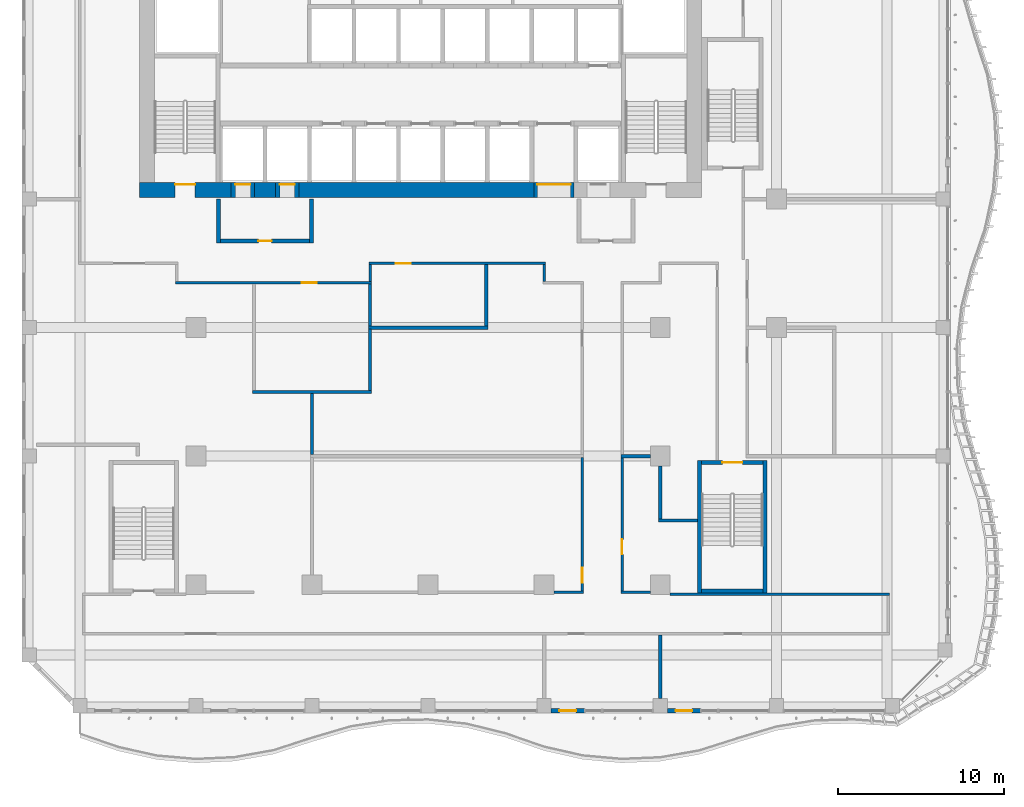
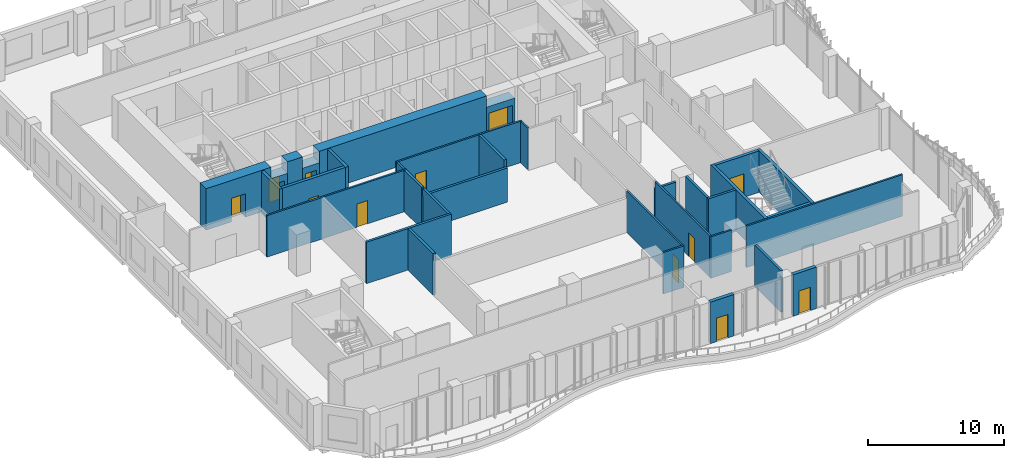
# One storey, part 13 of 26: 34 walls, 12 doors, 12 openings.
"""IFC4 building model written with IfcOpenShell, lengths in metres."""

from ifc_helpers import new_model, si_unit, direction, frame, frame_2d, origin, place, context, subcontext, project, spatial, rectangle, extrude, source, transform, mapped, material, layer, layer_set, type_object, element, fill, save


model = new_model("IFC4")

# Units and contexts
model_context = context("Model", 3, precision=1e-05, world=origin(), true_north=direction((0.0, 1.0)))
body_context = subcontext(model_context, "Body", "Model", "MODEL_VIEW")
ifc_project = project(units=[si_unit("LENGTHUNIT", "METRE"), si_unit("AREAUNIT", "SQUARE_METRE"), si_unit("VOLUMEUNIT", "CUBIC_METRE"), si_unit("PLANEANGLEUNIT", "RADIAN"), si_unit("MASSUNIT", "GRAM", prefix="KILO")], contexts=[model_context])

# Site, building, storey
site_placement = place(None, origin())
site = spatial("IfcSite", under=ifc_project, at=site_placement, CompositionType="ELEMENT")
building_placement = place(site_placement, origin())
building = spatial("IfcBuilding", under=site, at=building_placement, Name="Kilnfold Tower and Market Hall", CompositionType="ELEMENT")
storey_placement = place(building_placement, frame((0.0, 0.0, 104.60009765625)))
storey = spatial("IfcBuildingStorey", under=building, at=storey_placement, Name="L24", CompositionType="ELEMENT", Elevation=104.60009765625)

# Wall, opening, door
ifc_material_1 = material(Name="Gypsum board on steel studs", Category="steel")
ifc_layer_1 = layer(ifc_material_1, 0.14990234375)
ifc_layer_set_1 = layer_set([ifc_layer_1], Name="Gypsum board on steel studs")
wall_type_1 = type_object("IfcWallType", Name="WALL CORRIDOR 150", PredefinedType="PARTITIONING", material=ifc_layer_set_1)
wall_1_placement = place(storey_placement, frame((-13.735107421875, 2.949951171875, 0.0), z_axis=(0.0, 0.0, 1.0), x_axis=(1.0, 0.0, 0.0)))
wall_1 = element("IfcWall", 1, at=wall_1_placement, inside=storey, type_object=wall_type_1, Name="Partition LY16.3", PredefinedType="PARTITIONING", context=body_context, shape_type="SweptSolid", body=[
    extrude(rectangle(XDim=11.835205078125, YDim=0.14990234375, at=frame_2d((5.91748046875, 0.0))), origin(), (0.0, 0.0, 1.0), 3.719970703125),
])
opening_1_placement = place(wall_1_placement, frame((7.6298828125, 0.0, 0.0)))
opening_1 = element("IfcOpeningElement", 2, at=opening_1_placement, cuts=wall_1, Name="Opening D2", PredefinedType="OPENING", context=body_context, shape_type="SweptSolid", body=[
    extrude(rectangle(XDim=0.89990234375, YDim=2.10009765625, at=frame_2d((0.449951171875, 1.050048828125))), frame((0.0, 0.0849609375, 0.0), z_axis=(0.0, -1.0, 0.0), x_axis=(1.0, 0.0, 0.0)), (0.0, 0.0, 1.0), 0.169921875),
])
ifc_material_2 = material(Name="Timber veneer door leaf in steel frame", Category="steel")
door_type_1 = type_object("IfcDoorType", Name="DOOR ROOM 900 X2100", OperationType="NOTDEFINED", PredefinedType="DOOR", material=ifc_material_2)
door_1_placement = place(opening_1_placement, origin())
door_1 = element("IfcDoor", 3, at=door_1_placement, inside=storey, type_object=door_type_1, Name="Door D2", OperationType="SINGLE_SWING_RIGHT", OverallHeight=2.10009765625, OverallWidth=0.89990234375, PredefinedType="DOOR", context=body_context, shape_type="SweptSolid", body=[
    extrude(rectangle(XDim=0.89990234375, YDim=2.10009765625, at=frame_2d((0.449951171875, 1.050048828125))), frame((0.0, 0.02490234375, 0.0), z_axis=(0.0, -1.0, 0.0), x_axis=(1.0, 0.0, 0.0)), (0.0, 0.0, 1.0), 0.050048828125),
])
fill(opening_1, door_1)

wall_2_placement = place(storey_placement, frame((-2.074951171875, 4.125, 0.0), z_axis=(0.0, 0.0, 1.0), x_axis=(1.0, 0.0, 0.0)))
wall_2 = element("IfcWall", 4, at=wall_2_placement, inside=storey, type_object=wall_type_1, Name="Partition LY16.10", PredefinedType="PARTITIONING", context=body_context, shape_type="SweptSolid", body=[
    extrude(rectangle(XDim=10.64990234375, YDim=0.14990234375, at=frame_2d((5.324951171875, 0.0))), origin(), (0.0, 0.0, 1.0), 3.719970703125),
])
opening_2_placement = place(wall_2_placement, frame((1.62109375, 0.0, 0.0)))
opening_2 = element("IfcOpeningElement", 5, at=opening_2_placement, cuts=wall_2, Name="Opening D3", PredefinedType="OPENING", context=body_context, shape_type="SweptSolid", body=[
    extrude(rectangle(XDim=0.89990234375, YDim=2.10009765625, at=frame_2d((0.449951171875, 1.050048828125))), frame((0.0, 0.0849609375, 0.0), z_axis=(0.0, -1.0, 0.0), x_axis=(1.0, 0.0, 0.0)), (0.0, 0.0, 1.0), 0.169921875),
])
ifc_material_3 = material(Name="Timber veneer door leaf in steel frame", Category="steel")
door_type_2 = type_object("IfcDoorType", Name="DOOR WC 900 X2100", OperationType="NOTDEFINED", PredefinedType="DOOR", material=ifc_material_3)
door_2_placement = place(opening_2_placement, origin())
door_2 = element("IfcDoor", 6, at=door_2_placement, inside=storey, type_object=door_type_2, Name="Door D3", OperationType="SINGLE_SWING_LEFT", OverallHeight=2.10009765625, OverallWidth=0.89990234375, PredefinedType="DOOR", context=body_context, shape_type="SweptSolid", body=[
    extrude(rectangle(XDim=0.89990234375, YDim=2.10009765625, at=frame_2d((0.449951171875, 1.050048828125))), frame((0.0, 0.02490234375, 0.0), z_axis=(0.0, -1.0, 0.0), x_axis=(1.0, 0.0, 0.0)), (0.0, 0.0, 1.0), 0.050048828125),
])
fill(opening_2, door_2)

# Walls
wall_3_placement = place(storey_placement, frame((-2.0, 3.02490234375, 0.0), z_axis=(0.0, 0.0, 1.0), x_axis=(0.0, 1.0, 0.0)))
element("IfcWall", 7, at=wall_3_placement, inside=storey, type_object=wall_type_1, Name="Partition LY16.11", PredefinedType="PARTITIONING", context=body_context, shape_type="SweptSolid", body=[
    extrude(rectangle(XDim=1.025146484375, YDim=0.14990234375, at=frame_2d((0.5126953125, 0.0))), origin(), (0.0, 0.0, 1.0), 3.719970703125),
])
wall_4_placement = place(storey_placement, frame((9.10009765625, -15.699951171875, 0.0), z_axis=(0.0, 0.0, 1.0), x_axis=(1.0, 0.0, 0.0)))
element("IfcWall", 8, at=wall_4_placement, inside=storey, type_object=wall_type_1, Name="Partition LY16.14", PredefinedType="PARTITIONING", context=body_context, shape_type="SweptSolid", body=[
    extrude(rectangle(XDim=1.77490234375, YDim=0.14990234375, at=frame_2d((0.887451171875, 0.0))), origin(), (0.0, 0.0, 1.0), 3.719970703125),
])

# Wall, opening, door
wall_5_placement = place(storey_placement, frame((10.800048828125, -15.625, 0.0), z_axis=(0.0, 0.0, 1.0), x_axis=(0.0, 1.0, 0.0)))
wall_5 = element("IfcWall", 9, at=wall_5_placement, inside=storey, type_object=wall_type_1, Name="Partition LY16.15", PredefinedType="PARTITIONING", context=body_context, shape_type="SweptSolid", body=[
    extrude(rectangle(XDim=8.034912109375, YDim=0.14990234375, at=frame_2d((4.017578125, 0.0))), origin(), (0.0, 0.0, 1.0), 3.719970703125),
])
opening_3_placement = place(wall_5_placement, frame((0.501953125, 0.0, 0.0)))
opening_3 = element("IfcOpeningElement", 10, at=opening_3_placement, cuts=wall_5, Name="Opening D2", PredefinedType="OPENING", context=body_context, shape_type="SweptSolid", body=[
    extrude(rectangle(XDim=0.89990234375, YDim=2.10009765625, at=frame_2d((0.449951171875, 1.050048828125))), frame((0.0, 0.0849609375, 0.0), z_axis=(0.0, -1.0, 0.0), x_axis=(1.0, 0.0, 0.0)), (0.0, 0.0, 1.0), 0.169921875),
])
door_3_placement = place(opening_3_placement, origin())
door_3 = element("IfcDoor", 11, at=door_3_placement, inside=storey, type_object=door_type_1, Name="Door D2", OperationType="SINGLE_SWING_LEFT", OverallHeight=2.10009765625, OverallWidth=0.89990234375, PredefinedType="DOOR", context=body_context, shape_type="SweptSolid", body=[
    extrude(rectangle(XDim=0.89990234375, YDim=2.10009765625, at=frame_2d((0.449951171875, 1.050048828125))), frame((0.0, 0.02490234375, 0.0), z_axis=(0.0, -1.0, 0.0), x_axis=(1.0, 0.0, 0.0)), (0.0, 0.0, 1.0), 0.050048828125),
])
fill(opening_3, door_3)

# Walls
wall_6_placement = place(storey_placement, frame((8.5, 4.050048828125, 0.0), z_axis=(0.0, 0.0, 1.0), x_axis=(0.0, -1.0, 0.0)))
element("IfcWall", 12, at=wall_6_placement, inside=storey, type_object=wall_type_1, Name="Partition LY16.18", PredefinedType="PARTITIONING", context=body_context, shape_type="SweptSolid", body=[
    extrude(rectangle(XDim=1.025146484375, YDim=0.14990234375, at=frame_2d((0.5126953125, 0.0))), origin(), (0.0, 0.0, 1.0), 3.719970703125),
])
wall_7_placement = place(storey_placement, frame((13.125, -15.699951171875, 0.0), z_axis=(0.0, 0.0, 1.0), x_axis=(1.0, 0.0, 0.0)))
element("IfcWall", 13, at=wall_7_placement, inside=storey, type_object=wall_type_1, Name="Partition LY16.19", PredefinedType="PARTITIONING", context=body_context, shape_type="SweptSolid", body=[
    extrude(rectangle(XDim=1.77490234375, YDim=0.14990234375, at=frame_2d((0.887451171875, 0.0))), origin(), (0.0, 0.0, 1.0), 3.719970703125),
])
wall_8_placement = place(storey_placement, frame((16.10009765625, -15.824951171875, 0.0), z_axis=(0.0, 0.0, 1.0), x_axis=(1.0, 0.0, 0.0)))
element("IfcWall", 14, at=wall_8_placement, inside=storey, type_object=wall_type_1, Name="Partition LY16.20", PredefinedType="PARTITIONING", context=body_context, shape_type="SweptSolid", body=[
    extrude(rectangle(XDim=13.224853515625, YDim=0.14990234375, at=frame_2d((6.6123046875, 0.0))), origin(), (0.0, 0.0, 1.0), 3.719970703125),
])

# Wall, opening, door
wall_9_placement = place(storey_placement, frame((13.199951171875, -15.625, 0.0), z_axis=(0.0, 0.0, 1.0), x_axis=(0.0, 1.0, 0.0)))
wall_9 = element("IfcWall", 15, at=wall_9_placement, inside=storey, type_object=wall_type_1, Name="Partition LY16.21", PredefinedType="PARTITIONING", context=body_context, shape_type="SweptSolid", body=[
    extrude(rectangle(XDim=8.034912109375, YDim=0.14990234375, at=frame_2d((4.017578125, 0.0))), origin(), (0.0, 0.0, 1.0), 3.719970703125),
])
opening_4_placement = place(wall_9_placement, frame((2.2099609375, 0.0, 0.0)))
opening_4 = element("IfcOpeningElement", 16, at=opening_4_placement, cuts=wall_9, Name="Opening D3", PredefinedType="OPENING", context=body_context, shape_type="SweptSolid", body=[
    extrude(rectangle(XDim=0.89990234375, YDim=2.10009765625, at=frame_2d((0.449951171875, 1.050048828125))), frame((0.0, 0.0849609375, 0.0), z_axis=(0.0, -1.0, 0.0), x_axis=(1.0, 0.0, 0.0)), (0.0, 0.0, 1.0), 0.169921875),
])
door_4_placement = place(opening_4_placement, origin())
door_4 = element("IfcDoor", 17, at=door_4_placement, inside=storey, type_object=door_type_2, Name="Door D3", OperationType="SINGLE_SWING_LEFT", OverallHeight=2.10009765625, OverallWidth=0.89990234375, PredefinedType="DOOR", context=body_context, shape_type="SweptSolid", body=[
    extrude(rectangle(XDim=0.89990234375, YDim=2.10009765625, at=frame_2d((0.449951171875, 1.050048828125))), frame((0.0, 0.02490234375, 0.0), z_axis=(0.0, -1.0, 0.0), x_axis=(1.0, 0.0, 0.0)), (0.0, 0.0, 1.0), 0.050048828125),
])
fill(opening_4, door_4)

# Walls
ifc_material_4 = material(Name="Gypsum board on steel studs", Category="steel")
ifc_layer_2 = layer(ifc_material_4, 0.199951171875)
ifc_layer_set_2 = layer_set([ifc_layer_2], Name="Gypsum board on steel studs")
wall_type_2 = type_object("IfcWallType", Name="WALL PARTY 200", PredefinedType="PARTITIONING", material=ifc_layer_set_2)
wall_10_placement = place(storey_placement, frame((-9.10009765625, -3.625, 0.0), z_axis=(0.0, 0.0, 1.0), x_axis=(1.0, 0.0, 0.0)))
element("IfcWall", 18, at=wall_10_placement, inside=storey, type_object=wall_type_2, Name="Partition LY16.37", PredefinedType="PARTITIONING", context=body_context, shape_type="SweptSolid", body=[
    extrude(rectangle(XDim=7.2001953125, YDim=0.199951171875, at=frame_2d((3.60009765625, 0.0))), origin(), (0.0, 0.0, 1.0), 3.719970703125),
])
wall_11_placement = place(storey_placement, frame((-5.5, -7.409912109375, 0.0), z_axis=(0.0, 0.0, 1.0), x_axis=(0.0, 1.0, 0.0)))
element("IfcWall", 19, at=wall_11_placement, inside=storey, type_object=wall_type_2, Name="Partition LY16.41", PredefinedType="PARTITIONING", context=body_context, shape_type="SweptSolid", body=[
    extrude(rectangle(XDim=3.684814453125, YDim=0.199951171875, at=frame_2d((1.84228515625, 0.0))), origin(), (0.0, 0.0, 1.0), 3.719970703125),
])
wall_12_placement = place(storey_placement, frame((-2.0, 0.340087890625, 0.0), z_axis=(0.0, 0.0, 1.0), x_axis=(0.0, 1.0, 0.0)))
element("IfcWall", 20, at=wall_12_placement, inside=storey, type_object=wall_type_2, Name="Partition LY16.43", PredefinedType="PARTITIONING", context=body_context, shape_type="SweptSolid", body=[
    extrude(rectangle(XDim=2.533935546875, YDim=0.199951171875, at=frame_2d((1.26708984375, 0.0))), origin(), (0.0, 0.0, 1.0), 3.719970703125),
])
wall_13_placement = place(storey_placement, frame((-2.0, -3.52490234375, 0.0), z_axis=(0.0, 0.0, 1.0), x_axis=(0.0, 1.0, 0.0)))
element("IfcWall", 21, at=wall_13_placement, inside=storey, type_object=wall_type_2, Name="Partition LY16.44", PredefinedType="PARTITIONING", context=body_context, shape_type="SweptSolid", body=[
    extrude(rectangle(XDim=3.684814453125, YDim=0.199951171875, at=frame_2d((1.84228515625, 0.0))), origin(), (0.0, 0.0, 1.0), 3.719970703125),
])
wall_14_placement = place(storey_placement, frame((5.0, 0.35009765625, 0.0), z_axis=(0.0, 0.0, 1.0), x_axis=(0.0, 1.0, 0.0)))
element("IfcWall", 22, at=wall_14_placement, inside=storey, type_object=wall_type_2, Name="Partition LY16.46", PredefinedType="PARTITIONING", context=body_context, shape_type="SweptSolid", body=[
    extrude(rectangle(XDim=3.698974609375, YDim=0.199951171875, at=frame_2d((1.849609375, 0.0))), origin(), (0.0, 0.0, 1.0), 3.719970703125),
])
wall_15_placement = place(storey_placement, frame((-2.10009765625, 0.25, 0.0), z_axis=(0.0, 0.0, 1.0), x_axis=(1.0, 0.0, 0.0)))
element("IfcWall", 23, at=wall_15_placement, inside=storey, type_object=wall_type_2, Name="Partition LY16.47", PredefinedType="PARTITIONING", context=body_context, shape_type="SweptSolid", body=[
    extrude(rectangle(XDim=7.2001953125, YDim=0.199951171875, at=frame_2d((3.60009765625, 0.0))), origin(), (0.0, 0.0, 1.0), 3.06982421875),
])
wall_16_placement = place(storey_placement, frame((15.5, -22.125, 0.0), z_axis=(0.0, 0.0, 1.0), x_axis=(0.0, 1.0, 0.0)))
element("IfcWall", 24, at=wall_16_placement, inside=storey, type_object=wall_type_2, Name="Partition LY16.48", PredefinedType="PARTITIONING", context=body_context, shape_type="SweptSolid", body=[
    extrude(rectangle(XDim=3.84912109375, YDim=0.199951171875, at=frame_2d((1.924560546875, 0.0))), origin(), (0.0, 0.0, 1.0), 3.719970703125),
])
wall_17_placement = place(storey_placement, frame((13.1259765625, -7.5, 0.0), z_axis=(0.0, 0.0, 1.0), x_axis=(1.0, 0.0, 0.0)))
element("IfcWall", 25, at=wall_17_placement, inside=storey, type_object=wall_type_2, Name="Partition LY16.50", PredefinedType="PARTITIONING", context=body_context, shape_type="SweptSolid", body=[
    extrude(rectangle(XDim=1.77392578125, YDim=0.199951171875, at=frame_2d((0.886962890625, 0.0))), origin(), (0.0, 0.0, 1.0), 3.06982421875),
])
wall_18_placement = place(storey_placement, frame((15.5, -11.27490234375, 0.0), z_axis=(0.0, 0.0, 1.0), x_axis=(0.0, 1.0, 0.0)))
element("IfcWall", 26, at=wall_18_placement, inside=storey, type_object=wall_type_2, Name="Partition LY16.51", PredefinedType="PARTITIONING", context=body_context, shape_type="SweptSolid", body=[
    extrude(rectangle(XDim=3.1748046875, YDim=0.199951171875, at=frame_2d((1.58740234375, 0.0))), origin(), (0.0, 0.0, 1.0), 3.719970703125),
])
wall_19_placement = place(storey_placement, frame((17.75, -11.375, 0.0), z_axis=(0.0, 0.0, 1.0), x_axis=(-1.0, 0.0, 0.0)))
element("IfcWall", 27, at=wall_19_placement, inside=storey, type_object=wall_type_2, Name="Partition LY16.52", PredefinedType="PARTITIONING", context=body_context, shape_type="SweptSolid", body=[
    extrude(rectangle(XDim=2.35009765625, YDim=0.199951171875, at=frame_2d((1.175048828125, 0.0))), origin(), (0.0, 0.0, 1.0), 3.719970703125),
])
ifc_material_5 = material(Name="Concrete C70", Category="concrete")
ifc_layer_3 = layer(ifc_material_5, 0.25)
ifc_layer_set_3 = layer_set([ifc_layer_3], Name="Concrete C70")
wall_type_3 = type_object("IfcWallType", Name="CORE WALL 250 C70", PredefinedType="SHEAR", material=ifc_layer_set_3)
shared_shape_1 = source(origin(), body_context, "Body", "SweptSolid", [
    extrude(rectangle(XDim=3.699951171875, YDim=0.25, at=frame_2d((1.85009765625, 0.0))), origin(), (0.0, 0.0, 1.0), 3.719970703125),
])
wall_20_placement = place(storey_placement, frame((18.0, -15.625, 0.0), z_axis=(0.0, 0.0, 1.0), x_axis=(1.0, 0.0, 0.0)))
element("IfcWall", 28, at=wall_20_placement, inside=storey, type_object=wall_type_3, Name="Stair enclosure ST4", PredefinedType="SHEAR", context=body_context, shape_type="MappedRepresentation", body=[
    mapped(shared_shape_1, transform((0.0, 0.0, 0.0))),
])

# Wall, opening, door
wall_21_placement = place(storey_placement, frame((18.0, -7.875, 0.0), z_axis=(0.0, 0.0, 1.0), x_axis=(1.0, 0.0, 0.0)))
wall_21 = element("IfcWall", 29, at=wall_21_placement, inside=storey, type_object=wall_type_3, Name="Stair enclosure ST4", PredefinedType="SHEAR", context=body_context, shape_type="MappedRepresentation", body=[
    mapped(shared_shape_1, transform((0.0, 0.0, 0.0))),
])
opening_5_placement = place(wall_21_placement, frame((1.25, 0.0, 0.0)))
opening_5 = element("IfcOpeningElement", 30, at=opening_5_placement, cuts=wall_21, Name="Opening SD1", PredefinedType="OPENING", context=body_context, shape_type="SweptSolid", body=[
    extrude(rectangle(XDim=1.199951171875, YDim=2.10009765625, at=frame_2d((0.60009765625, 1.050048828125))), frame((0.0, 0.135009765625, 0.0), z_axis=(0.0, -1.0, 0.0), x_axis=(1.0, 0.0, 0.0)), (0.0, 0.0, 1.0), 0.27001953125),
])
ifc_material_6 = material(Name="Steel door set with fire-resisting leaf", Category="steel")
door_type_3 = type_object("IfcDoorType", Name="STAIR FLOOR DOOR 1200X2100", OperationType="NOTDEFINED", PredefinedType="DOOR", material=ifc_material_6)
door_5_placement = place(opening_5_placement, origin())
door_5 = element("IfcDoor", 31, at=door_5_placement, inside=storey, type_object=door_type_3, Name="Exit stair ST4 door", OperationType="DOUBLE_DOOR_SINGLE_SWING", OverallHeight=2.10009765625, OverallWidth=1.199951171875, PredefinedType="DOOR", context=body_context, shape_type="SweptSolid", body=[
    extrude(rectangle(XDim=1.199951171875, YDim=2.10009765625, at=frame_2d((0.60009765625, 1.050048828125))), frame((0.0, 0.02490234375, 0.0), z_axis=(0.0, -1.0, 0.0), x_axis=(1.0, 0.0, 0.0)), (0.0, 0.0, 1.0), 0.050048828125),
])
fill(opening_5, door_5)

# Walls
shared_shape_2 = source(origin(), body_context, "Body", "SweptSolid", [
    extrude(rectangle(XDim=8.0, YDim=0.25, at=frame_2d((4.0, 0.0))), origin(), (0.0, 0.0, 1.0), 3.719970703125),
])
for number, where, z_axis, x_axis, name in (
    (32, (17.875, -15.75, 0.0), (0.0, 0.0, 1.0), (0.0, 1.0, 0.0), "Stair enclosure ST4"),
    (33, (21.824951171875, -15.75, 0.0), (0.0, 0.0, 1.0), (0.0, 1.0, 0.0), "Stair enclosure ST4"),
):
    element("IfcWall", number, at=place(storey_placement, frame(where, z_axis=z_axis, x_axis=x_axis)), inside=storey, type_object=wall_type_3, Name=name, PredefinedType="SHEAR", context=body_context, shape_type="MappedRepresentation", body=[
        mapped(shared_shape_2, transform((0.0, 0.0, 0.0))),
    ])

# Wall, opening, door
ifc_material_7 = material(Name="Concrete C70", Category="concrete")
ifc_layer_4 = layer(ifc_material_7, 0.89990234375)
ifc_layer_set_4 = layer_set([ifc_layer_4], Name="Concrete C70")
wall_type_4 = type_object("IfcWallType", Name="CORE WALL 900 C70", PredefinedType="SHEAR", material=ifc_layer_set_4)
shared_shape_3 = source(origin(), body_context, "Body", "SweptSolid", [
    extrude(rectangle(XDim=5.52978515625, YDim=0.89990234375, at=frame_2d((2.764892578125, 0.0))), origin(), (0.0, 0.0, 1.0), 3.719970703125),
])
wall_22_placement = place(storey_placement, frame((-15.89990234375, 8.550048828125, 0.0), z_axis=(0.0, 0.0, 1.0), x_axis=(1.0, 0.0, 0.0)))
wall_22 = element("IfcWall", 34, at=wall_22_placement, inside=storey, type_object=wall_type_4, Name="Core outer wall south", PredefinedType="SHEAR", context=body_context, shape_type="MappedRepresentation", body=[
    mapped(shared_shape_3, transform((0.0, 0.0, 0.0))),
])
opening_6_placement = place(wall_22_placement, frame((2.14990234375, 0.0, 0.0)))
opening_6 = element("IfcOpeningElement", 35, at=opening_6_placement, cuts=wall_22, Name="Opening SD1", PredefinedType="OPENING", context=body_context, shape_type="SweptSolid", body=[
    extrude(rectangle(XDim=1.199951171875, YDim=2.10009765625, at=frame_2d((0.60009765625, 1.050048828125))), frame((0.0, 0.4599609375, 0.0), z_axis=(0.0, -1.0, 0.0), x_axis=(1.0, 0.0, 0.0)), (0.0, 0.0, 1.0), 0.919921875),
])
door_6_placement = place(opening_6_placement, origin())
door_6 = element("IfcDoor", 36, at=door_6_placement, inside=storey, type_object=door_type_3, Name="Exit stair ST1 door", OperationType="DOUBLE_DOOR_SINGLE_SWING", OverallHeight=2.10009765625, OverallWidth=1.199951171875, PredefinedType="DOOR", context=body_context, shape_type="SweptSolid", body=[
    extrude(rectangle(XDim=1.199951171875, YDim=2.10009765625, at=frame_2d((0.60009765625, 1.050048828125))), frame((0.0, 0.35498046875, 0.0), z_axis=(0.0, -1.0, 0.0), x_axis=(1.0, 0.0, 0.0)), (0.0, 0.0, 1.0), 0.050048828125),
])
fill(opening_6, door_6)

# Walls
shared_shape_4 = source(origin(), body_context, "Body", "SweptSolid", [
    extrude(rectangle(XDim=1.280029296875, YDim=0.89990234375, at=frame_2d((0.64013671875, 0.0))), origin(), (0.0, 0.0, 1.0), 3.719970703125),
])
wall_23_placement = place(storey_placement, frame((-8.969970703125, 8.550048828125, 0.0), z_axis=(0.0, 0.0, 1.0), x_axis=(1.0, 0.0, 0.0)))
element("IfcWall", 37, at=wall_23_placement, inside=storey, type_object=wall_type_4, Name="Core outer wall south", PredefinedType="SHEAR", context=body_context, shape_type="MappedRepresentation", body=[
    mapped(shared_shape_4, transform((0.0, 0.0, 0.0))),
])
shared_shape_5 = source(origin(), body_context, "Body", "SweptSolid", [
    extrude(rectangle(XDim=14.179931640625, YDim=0.89990234375, at=frame_2d((7.08984375, 0.0))), origin(), (0.0, 0.0, 1.0), 3.719970703125),
])
wall_24_placement = place(storey_placement, frame((-6.2900390625, 8.550048828125, 0.0), z_axis=(0.0, 0.0, 1.0), x_axis=(1.0, 0.0, 0.0)))
element("IfcWall", 38, at=wall_24_placement, inside=storey, type_object=wall_type_4, Name="Core outer wall south", PredefinedType="SHEAR", context=body_context, shape_type="MappedRepresentation", body=[
    mapped(shared_shape_5, transform((0.0, 0.0, 0.0))),
])

# Wall, opening, door
ifc_material_8 = material(Name="Precast concrete C50/60", Category="concrete")
ifc_layer_5 = layer(ifc_material_8, 0.300048828125)
ifc_layer_set_5 = layer_set([ifc_layer_5], Name="Precast concrete C50/60")
wall_type_5 = type_object("IfcWallType", Name="PRECAST WALL 300", PredefinedType="SOLIDWALL", material=ifc_layer_set_5)
shared_shape_6 = source(origin(), body_context, "Body", "SweptSolid", [
    extrude(rectangle(XDim=2.0, YDim=0.300048828125, at=frame_2d((1.0, 0.0))), origin(), (0.0, 0.0, 1.0), 3.719970703125),
])
wall_25_placement = place(storey_placement, frame((8.925048828125, -22.85009765625, 0.0), z_axis=(0.0, 0.0, 1.0), x_axis=(1.0, 0.0, 0.0)))
wall_25 = element("IfcWall", 39, at=wall_25_placement, inside=storey, type_object=wall_type_5, Name="External wall L24 S", PredefinedType="SOLIDWALL", context=body_context, shape_type="MappedRepresentation", body=[
    mapped(shared_shape_6, transform((0.0, 0.0, 0.0))),
])
opening_7_placement = place(wall_25_placement, frame((0.5, 0.0, 0.0)))
opening_7 = element("IfcOpeningElement", 40, at=opening_7_placement, cuts=wall_25, Name="Opening BD1", PredefinedType="OPENING", context=body_context, shape_type="SweptSolid", body=[
    extrude(rectangle(XDim=1.0, YDim=2.10009765625, at=frame_2d((0.5, 1.050048828125))), frame((0.0, 0.16015625, 0.0), z_axis=(0.0, -1.0, 0.0), x_axis=(1.0, 0.0, 0.0)), (0.0, 0.0, 1.0), 0.320068359375),
])
ifc_material_9 = material(Name="Aluminium frame and double glazing", Category="aluminium")
door_type_4 = type_object("IfcDoorType", Name="BALCONY DOOR 1000X2100", OperationType="NOTDEFINED", PredefinedType="DOOR", material=ifc_material_9)
door_7_placement = place(opening_7_placement, origin())
door_7 = element("IfcDoor", 41, at=door_7_placement, inside=storey, type_object=door_type_4, Name="Balcony door BD1 L24 S-1", OperationType="SINGLE_SWING_LEFT", OverallHeight=2.10009765625, OverallWidth=1.0, PredefinedType="DOOR", context=body_context, shape_type="SweptSolid", body=[
    extrude(rectangle(XDim=1.0, YDim=2.10009765625, at=frame_2d((0.5, 1.050048828125))), frame((0.0, 0.02490234375, 0.0), z_axis=(0.0, -1.0, 0.0), x_axis=(1.0, 0.0, 0.0)), (0.0, 0.0, 1.0), 0.050048828125),
])
fill(opening_7, door_7)

wall_26_placement = place(storey_placement, frame((15.925048828125, -22.85009765625, 0.0), z_axis=(0.0, 0.0, 1.0), x_axis=(1.0, 0.0, 0.0)))
wall_26 = element("IfcWall", 42, at=wall_26_placement, inside=storey, type_object=wall_type_5, Name="External wall L24 S", PredefinedType="SOLIDWALL", context=body_context, shape_type="MappedRepresentation", body=[
    mapped(shared_shape_6, transform((0.0, 0.0, 0.0))),
])
opening_8_placement = place(wall_26_placement, frame((0.5, 0.0, 0.0)))
opening_8 = element("IfcOpeningElement", 43, at=opening_8_placement, cuts=wall_26, Name="Opening BD1", PredefinedType="OPENING", context=body_context, shape_type="SweptSolid", body=[
    extrude(rectangle(XDim=1.0, YDim=2.10009765625, at=frame_2d((0.5, 1.050048828125))), frame((0.0, 0.16015625, 0.0), z_axis=(0.0, -1.0, 0.0), x_axis=(1.0, 0.0, 0.0)), (0.0, 0.0, 1.0), 0.320068359375),
])
door_8_placement = place(opening_8_placement, origin())
door_8 = element("IfcDoor", 44, at=door_8_placement, inside=storey, type_object=door_type_4, Name="Balcony door BD1 L24 S-1", OperationType="SINGLE_SWING_LEFT", OverallHeight=2.10009765625, OverallWidth=1.0, PredefinedType="DOOR", context=body_context, shape_type="SweptSolid", body=[
    extrude(rectangle(XDim=1.0, YDim=2.10009765625, at=frame_2d((0.5, 1.050048828125))), frame((0.0, 0.02490234375, 0.0), z_axis=(0.0, -1.0, 0.0), x_axis=(1.0, 0.0, 0.0)), (0.0, 0.0, 1.0), 0.050048828125),
])
fill(opening_8, door_8)

# Walls
ifc_material_10 = material(Name="Gypsum shaft wall system")
ifc_layer_6 = layer(ifc_material_10, 0.25)
ifc_layer_set_6 = layer_set([ifc_layer_6], Name="Gypsum shaft wall system")
wall_type_6 = type_object("IfcWallType", Name="LOBBY WALL 250", PredefinedType="PARTITIONING", material=ifc_layer_set_6)
shared_shape_7 = source(origin(), body_context, "Body", "SweptSolid", [
    extrude(rectangle(XDim=2.64990234375, YDim=0.25, at=frame_2d((1.324951171875, 0.0))), origin(), (0.0, 0.0, 1.0), 3.719970703125),
])
for number, where, z_axis, x_axis, name in (
    (45, (-11.135009765625, 5.35009765625, 0.0), (0.0, 0.0, 1.0), (0.0, 1.0, 0.0), "Firefighting lobby wall"),
    (46, (-5.52490234375, 5.35009765625, 0.0), (0.0, 0.0, 1.0), (0.0, 1.0, 0.0), "Firefighting lobby wall"),
):
    element("IfcWall", number, at=place(storey_placement, frame(where, z_axis=z_axis, x_axis=x_axis)), inside=storey, type_object=wall_type_6, Name=name, PredefinedType="PARTITIONING", context=body_context, shape_type="MappedRepresentation", body=[
        mapped(shared_shape_7, transform((0.0, 0.0, 0.0))),
    ])

# Wall, opening, door
shared_shape_8 = source(origin(), body_context, "Body", "SweptSolid", [
    extrude(rectangle(XDim=5.360107421875, YDim=0.25, at=frame_2d((2.68017578125, 0.0))), origin(), (0.0, 0.0, 1.0), 3.719970703125),
])
wall_27_placement = place(storey_placement, frame((-11.010009765625, 5.47509765625, 0.0), z_axis=(0.0, 0.0, 1.0), x_axis=(1.0, 0.0, 0.0)))
wall_27 = element("IfcWall", 47, at=wall_27_placement, inside=storey, type_object=wall_type_6, Name="Firefighting lobby wall", PredefinedType="PARTITIONING", context=body_context, shape_type="MappedRepresentation", body=[
    mapped(shared_shape_8, transform((0.0, 0.0, 0.0))),
])
opening_9_placement = place(wall_27_placement, frame((2.280029296875, 0.0, 0.0)))
opening_9 = element("IfcOpeningElement", 48, at=opening_9_placement, cuts=wall_27, Name="Opening VD1", PredefinedType="OPENING", context=body_context, shape_type="SweptSolid", body=[
    extrude(rectangle(XDim=0.800048828125, YDim=2.0, at=frame_2d((0.39990234375, 1.0))), frame((0.0, 0.135009765625, 0.0), z_axis=(0.0, -1.0, 0.0), x_axis=(1.0, 0.0, 0.0)), (0.0, 0.0, 1.0), 0.27001953125),
])
ifc_material_11 = material(Name="Steel door set with fire-resisting leaf", Category="steel")
door_type_5 = type_object("IfcDoorType", Name="FIREFIGHTING LOBBY DOOR 800X2000", OperationType="NOTDEFINED", PredefinedType="DOOR", material=ifc_material_11)
door_9_placement = place(opening_9_placement, origin())
door_9 = element("IfcDoor", 49, at=door_9_placement, inside=storey, type_object=door_type_5, Name="Firefighting lobby door", OperationType="SINGLE_SWING_LEFT", OverallHeight=2.0, OverallWidth=0.800048828125, PredefinedType="DOOR", context=body_context, shape_type="SweptSolid", body=[
    extrude(rectangle(XDim=0.800048828125, YDim=2.0, at=frame_2d((0.39990234375, 1.0))), frame((0.0, 0.02490234375, 0.0), z_axis=(0.0, -1.0, 0.0), x_axis=(1.0, 0.0, 0.0)), (0.0, 0.0, 1.0), 0.050048828125),
])
fill(opening_9, door_9)

ifc_material_12 = material(Name="Gypsum shaft wall system")
ifc_layer_7 = layer(ifc_material_12, 0.89990234375)
ifc_layer_set_7 = layer_set([ifc_layer_7], Name="Gypsum shaft wall system")
wall_type_7 = type_object("IfcWallType", Name="LOBBY WALL 900", PredefinedType="PARTITIONING", material=ifc_layer_set_7)
shared_shape_9 = source(origin(), body_context, "Body", "SweptSolid", [
    extrude(rectangle(XDim=1.400146484375, YDim=0.89990234375, at=frame_2d((0.7001953125, 0.0))), origin(), (0.0, 0.0, 1.0), 2.699951171875),
])
wall_28_placement = place(storey_placement, frame((-10.3701171875, 8.550048828125, 0.0), z_axis=(0.0, 0.0, 1.0), x_axis=(1.0, 0.0, 0.0)))
wall_28 = element("IfcWall", 50, at=wall_28_placement, inside=storey, type_object=wall_type_7, Name="Core wall infill", PredefinedType="PARTITIONING", context=body_context, shape_type="MappedRepresentation", body=[
    mapped(shared_shape_9, transform((0.0, 0.0, 0.0))),
])
opening_10_placement = place(wall_28_placement, frame((0.25, 0.0, 0.0)))
opening_10 = element("IfcOpeningElement", 51, at=opening_10_placement, cuts=wall_28, Name="Opening LD1", PredefinedType="OPENING", context=body_context, shape_type="SweptSolid", body=[
    extrude(rectangle(XDim=0.89990234375, YDim=2.10009765625, at=frame_2d((0.449951171875, 1.050048828125))), frame((0.0, 0.4599609375, 0.0), z_axis=(0.0, -1.0, 0.0), x_axis=(1.0, 0.0, 0.0)), (0.0, 0.0, 1.0), 0.919921875),
])
ifc_material_13 = material(Name="Steel door set with fire-resisting leaf", Category="steel")
door_type_6 = type_object("IfcDoorType", Name="FIREFIGHTING LANDING DOOR 900X2100", OperationType="NOTDEFINED", PredefinedType="DOOR", material=ifc_material_13)
door_10_placement = place(opening_10_placement, origin())
door_10 = element("IfcDoor", 52, at=door_10_placement, inside=storey, type_object=door_type_6, Name="Landing door FF1", OperationType="SLIDING_TO_LEFT", OverallHeight=2.10009765625, OverallWidth=0.89990234375, PredefinedType="DOOR", context=body_context, shape_type="SweptSolid", body=[
    extrude(rectangle(XDim=0.89990234375, YDim=2.10009765625, at=frame_2d((0.449951171875, 1.050048828125))), frame((0.0, 0.35498046875, 0.0), z_axis=(0.0, -1.0, 0.0), x_axis=(1.0, 0.0, 0.0)), (0.0, 0.0, 1.0), 0.050048828125),
])
fill(opening_10, door_10)

shared_shape_10 = source(origin(), body_context, "Body", "SweptSolid", [
    extrude(rectangle(XDim=1.39990234375, YDim=0.89990234375, at=frame_2d((0.699951171875, 0.0))), origin(), (0.0, 0.0, 1.0), 2.699951171875),
])
wall_29_placement = place(storey_placement, frame((-7.68994140625, 8.550048828125, 0.0), z_axis=(0.0, 0.0, 1.0), x_axis=(1.0, 0.0, 0.0)))
wall_29 = element("IfcWall", 53, at=wall_29_placement, inside=storey, type_object=wall_type_7, Name="Core wall infill", PredefinedType="PARTITIONING", context=body_context, shape_type="MappedRepresentation", body=[
    mapped(shared_shape_10, transform((0.0, 0.0, 0.0))),
])
opening_11_placement = place(wall_29_placement, frame((0.25, 0.0, 0.0)))
opening_11 = element("IfcOpeningElement", 54, at=opening_11_placement, cuts=wall_29, Name="Opening LD1", PredefinedType="OPENING", context=body_context, shape_type="SweptSolid", body=[
    extrude(rectangle(XDim=0.89990234375, YDim=2.10009765625, at=frame_2d((0.449951171875, 1.050048828125))), frame((0.0, 0.4599609375, 0.0), z_axis=(0.0, -1.0, 0.0), x_axis=(1.0, 0.0, 0.0)), (0.0, 0.0, 1.0), 0.919921875),
])
door_11_placement = place(opening_11_placement, origin())
door_11 = element("IfcDoor", 55, at=door_11_placement, inside=storey, type_object=door_type_6, Name="Landing door FF2", OperationType="SLIDING_TO_RIGHT", OverallHeight=2.10009765625, OverallWidth=0.89990234375, PredefinedType="DOOR", context=body_context, shape_type="SweptSolid", body=[
    extrude(rectangle(XDim=0.89990234375, YDim=2.10009765625, at=frame_2d((0.449951171875, 1.050048828125))), frame((0.0, 0.35498046875, 0.0), z_axis=(0.0, -1.0, 0.0), x_axis=(1.0, 0.0, 0.0)), (0.0, 0.0, 1.0), 0.050048828125),
])
fill(opening_11, door_11)

shared_shape_11 = source(origin(), body_context, "Body", "SweptSolid", [
    extrude(rectangle(XDim=2.400146484375, YDim=0.89990234375, at=frame_2d((1.2001953125, 0.0))), origin(), (0.0, 0.0, 1.0), 2.699951171875),
])
wall_30_placement = place(storey_placement, frame((7.889892578125, 8.550048828125, 0.0), z_axis=(0.0, 0.0, 1.0), x_axis=(1.0, 0.0, 0.0)))
wall_30 = element("IfcWall", 56, at=wall_30_placement, inside=storey, type_object=wall_type_7, Name="Core wall infill", PredefinedType="PARTITIONING", context=body_context, shape_type="MappedRepresentation", body=[
    mapped(shared_shape_11, transform((0.0, 0.0, 0.0))),
])
opening_12_placement = place(wall_30_placement, frame((0.199951171875, 0.0, 0.0)))
opening_12 = element("IfcOpeningElement", 57, at=opening_12_placement, cuts=wall_30, Name="Opening VD2", PredefinedType="OPENING", context=body_context, shape_type="SweptSolid", body=[
    extrude(rectangle(XDim=2.0, YDim=2.10009765625, at=frame_2d((1.0, 1.050048828125))), frame((0.0, 0.4599609375, 0.0), z_axis=(0.0, -1.0, 0.0), x_axis=(1.0, 0.0, 0.0)), (0.0, 0.0, 1.0), 0.919921875),
])
ifc_material_14 = material(Name="Steel door set with fire-resisting leaf", Category="steel")
door_type_7 = type_object("IfcDoorType", Name="LIFT LOBBY ENTRANCE DOOR 2000X2100", OperationType="NOTDEFINED", PredefinedType="DOOR", material=ifc_material_14)
door_12_placement = place(opening_12_placement, origin())
door_12 = element("IfcDoor", 58, at=door_12_placement, inside=storey, type_object=door_type_7, Name="Lift lobby entrance door", OperationType="DOUBLE_DOOR_SINGLE_SWING", OverallHeight=2.10009765625, OverallWidth=2.0, PredefinedType="DOOR", context=body_context, shape_type="SweptSolid", body=[
    extrude(rectangle(XDim=2.0, YDim=2.10009765625, at=frame_2d((1.0, 1.050048828125))), frame((0.0, 0.35498046875, 0.0), z_axis=(0.0, -1.0, 0.0), x_axis=(1.0, 0.0, 0.0)), (0.0, 0.0, 1.0), 0.050048828125),
])
fill(opening_12, door_12)

save(model, "model.ifc")
